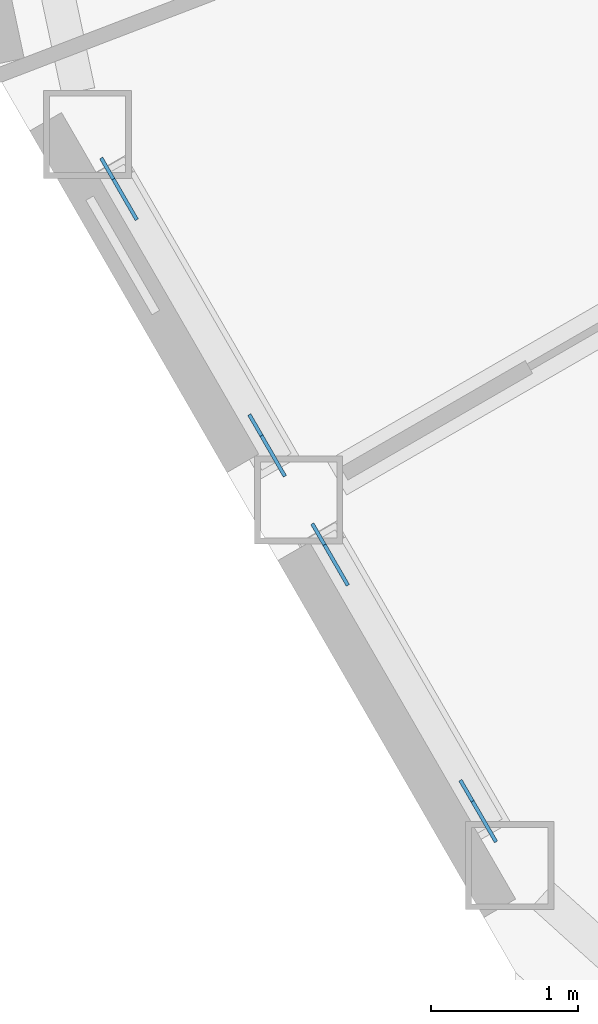
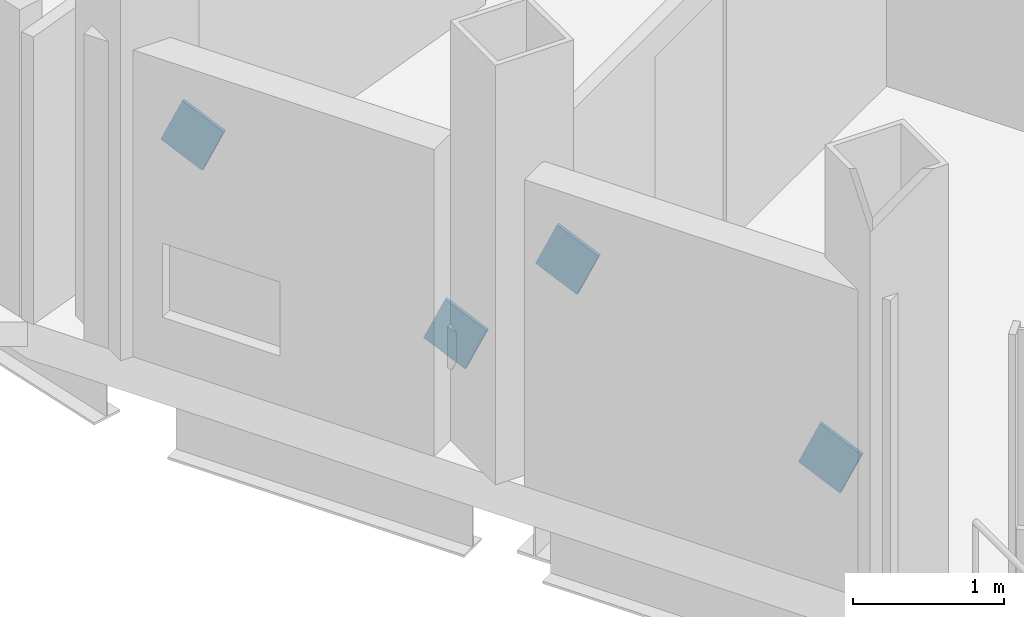
# One storey, part 20 of 28: 4 discrete accessories.
"""IFC4 building model written with IfcOpenShell, lengths in metres."""

from ifc_helpers import new_model, si_unit, direction, frame, origin, origin_2d, place, context, subcontext, project, spatial, rectangle, extrude, material, material_profile, profile_set, type_object, element, save


model = new_model("IFC4")

# Units and contexts
model_context = context("Model", 3, precision=1e-05, world=origin(), true_north=direction((0.0, 1.0)))
body_context = subcontext(model_context, "Body", "Model", "MODEL_VIEW")
ifc_project = project(units=[si_unit("LENGTHUNIT", "METRE"), si_unit("AREAUNIT", "SQUARE_METRE"), si_unit("VOLUMEUNIT", "CUBIC_METRE"), si_unit("PLANEANGLEUNIT", "RADIAN"), si_unit("MASSUNIT", "GRAM", prefix="KILO")], contexts=[model_context])

# Site, building, storey
site_placement = place(None, origin())
site = spatial("IfcSite", under=ifc_project, at=site_placement, CompositionType="ELEMENT")
building_placement = place(site_placement, origin())
building = spatial("IfcBuilding", under=site, at=building_placement, Name="Cormorant Prow Tower", CompositionType="ELEMENT")
storey_placement = place(building_placement, frame((0.0, 0.0, 308.60009765625)))
storey = spatial("IfcBuildingStorey", under=building, at=storey_placement, Name="L67", CompositionType="ELEMENT", Elevation=308.60009765625)

# Discrete accessories
ifc_material = material(Name="Structural steel ASTM A500 Gr C", Category="steel")
ifc_material_profile = material_profile(ifc_material, rectangle(XDim=0.02490234375, YDim=0.405029296875, at=origin_2d()), Name="Gusset plate 25x405")
ifc_profile_set = profile_set([ifc_material_profile], Name="Structural steel ASTM A500 Gr C")
discrete_accessory_type = type_object("IfcDiscreteAccessoryType", Name="Gusset plate 25x405", PredefinedType="BRACKET", material=ifc_profile_set)
discrete_accessory_1_placement = place(storey_placement, frame((-27.7265625, -15.328369140625, 0.86376953125), z_axis=(0.456109312262, -0.790171025676, -0.409382517274), x_axis=(0.866071029786, 0.499920965119, 0.0)))
element("IfcDiscreteAccessory", 1, at=discrete_accessory_1_placement, inside=storey, type_object=discrete_accessory_type, Name="Gusset plate GP3 L67.WSW00.g0", PredefinedType="BRACKET", context=body_context, shape_type="SweptSolid", body=[
    extrude(rectangle(XDim=0.02490234375, YDim=0.405029296875, at=origin_2d()), origin(), (0.0, 0.0, 1.0), 0.35009765625),
])
discrete_accessory_2_placement = place(storey_placement, frame((-28.574951171875, -13.85888671875, 1.6240234375), z_axis=(-0.456239480558, 0.790396531303, 0.408801736402), x_axis=(-0.866071029786, -0.499920965119, 0.0)))
element("IfcDiscreteAccessory", 2, at=discrete_accessory_2_placement, inside=storey, type_object=discrete_accessory_type, Name="Gusset plate GP3 L67.WSW00.g1", PredefinedType="BRACKET", context=body_context, shape_type="SweptSolid", body=[
    extrude(rectangle(XDim=0.02490234375, YDim=0.405029296875, at=origin_2d()), origin(), (0.0, 0.0, 1.0), 0.349853515625),
])
discrete_accessory_3_placement = place(storey_placement, frame((-26.289794921875, -17.817138671875, 0.86376953125), z_axis=(0.456661376387, -0.789919602208, -0.409252256395), x_axis=(0.865740004385, 0.50049400077, 0.0)))
element("IfcDiscreteAccessory", 3, at=discrete_accessory_3_placement, inside=storey, type_object=discrete_accessory_type, Name="Gusset plate GP3 L67.WSW01.g0", PredefinedType="BRACKET", context=body_context, shape_type="SweptSolid", body=[
    extrude(rectangle(XDim=0.02490234375, YDim=0.405029296875, at=origin_2d()), origin(), (0.0, 0.0, 1.0), 0.35009765625),
])
discrete_accessory_4_placement = place(storey_placement, frame((-27.137939453125, -16.34765625, 1.6240234375), z_axis=(-0.45649114423, 0.790134518758, 0.409027233209), x_axis=(-0.865879799044, -0.500252110048, 0.0)))
element("IfcDiscreteAccessory", 4, at=discrete_accessory_4_placement, inside=storey, type_object=discrete_accessory_type, Name="Gusset plate GP3 L67.WSW01.g1", PredefinedType="BRACKET", context=body_context, shape_type="SweptSolid", body=[
    extrude(rectangle(XDim=0.02490234375, YDim=0.405029296875, at=origin_2d()), origin(), (0.0, 0.0, 1.0), 0.349853515625),
])

save(model, "model.ifc")
